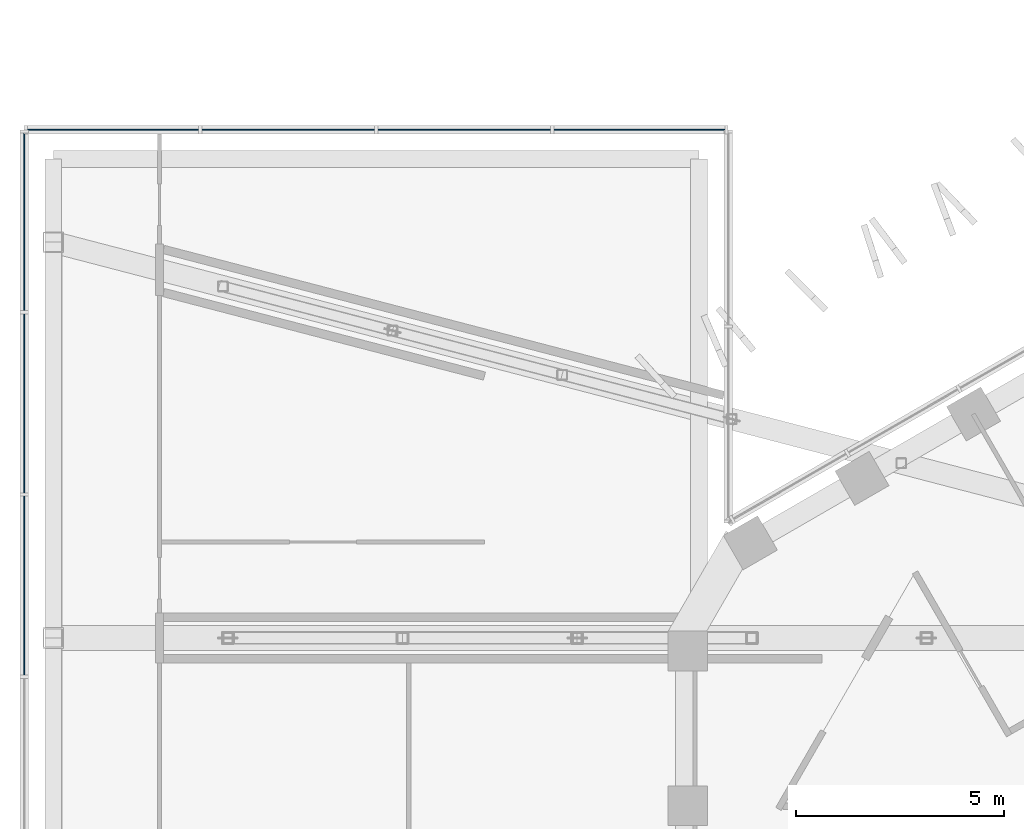
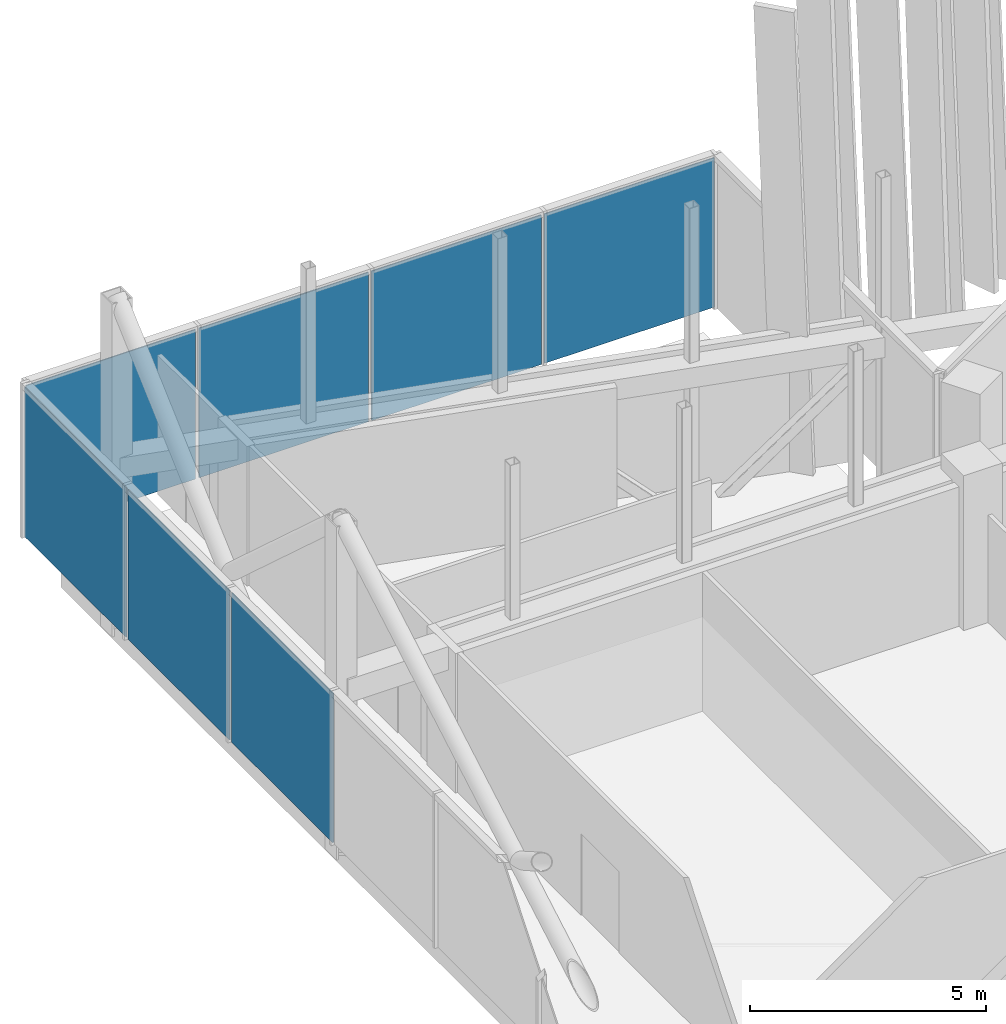
# One storey, part 15 of 28: 7 plates, 2 elements without a shape of their own.
"""IFC4 building model written with IfcOpenShell, lengths in metres."""

import ifcopenshell
import ifcopenshell.guid

model = None  # the IFC model being written
_history = None  # IfcOwnerHistory: only IFC2X3 demands one
_inside = {}  # id of a spatial element -> (the spatial element, [elements in it])
_under = {}  # id of a project, library or spatial element -> (it, [spatial elements below it])
_declared = {}  # id of a project -> (the project, [libraries it declares])
_typed = {}  # id of a type object -> (the type object, [elements of that type])
_made_of = {}  # id of a material, layer set ... -> (it, [elements and type objects made of it])


def new_model(schema):
    """Start an empty IFC model of exactly this schema.

    Asked for "IFC4X3", IfcOpenShell would pick the latest addendum, in which some entities
    have other attributes; the version numbers below select the first issue.
    IFC2X3 requires an IfcOwnerHistory on every rooted entity: one is made here for all.
    """
    global model, _history
    if schema == "IFC4X3":
        model = ifcopenshell.file(schema_version=(4, 3, 0, 0))
    else:
        model = ifcopenshell.file(schema=schema)
    _inside.clear()
    _under.clear()
    _declared.clear()
    _typed.clear()
    _made_of.clear()
    _history = None
    if model.schema == "IFC2X3":
        org = make("IfcOrganization", Name="unknown")
        user = make(
            "IfcPersonAndOrganization",
            ThePerson=make("IfcPerson", FamilyName="unknown"),
            TheOrganization=org,
        )
        app = make(
            "IfcApplication",
            ApplicationDeveloper=org,
            Version="unknown",
            ApplicationFullName="unknown",
            ApplicationIdentifier="unknown",
        )
        _history = make(
            "IfcOwnerHistory",
            OwningUser=user,
            OwningApplication=app,
            ChangeAction="ADDED",
            CreationDate=0,
        )
    return model


def make(cls, **values):
    """One entity of the class cls with the attributes given. An attribute that is None is left unset."""
    return model.create_entity(
        cls, **{name: value for name, value in values.items() if value is not None}
    )


def rooted(cls, **values):
    """An entity with a GlobalId (a new one), such as an element, a storey or a relation."""
    return make(cls, GlobalId=ifcopenshell.guid.new(), OwnerHistory=_history, **values)


def si_unit(unit_type, name, prefix=None):
    """IfcSIUnit, for example si_unit("LENGTHUNIT", "METRE", prefix="MILLI")."""
    return make("IfcSIUnit", UnitType=unit_type, Prefix=prefix, Name=name)


def assignment(units):
    """IfcUnitAssignment: the units of a project."""
    return None if units is None else make("IfcUnitAssignment", Units=units)


def point(xyz):
    """IfcCartesianPoint."""
    return None if xyz is None else make("IfcCartesianPoint", Coordinates=xyz)


def direction(xyz):
    """IfcDirection."""
    return None if xyz is None else make("IfcDirection", DirectionRatios=xyz)


def frame(location, z_axis=None, x_axis=None):
    """IfcAxis2Placement3D, a coordinate frame: its origin and axes. An axis left out is left unset."""
    return make(
        "IfcAxis2Placement3D",
        Location=point(location),
        Axis=direction(z_axis),
        RefDirection=direction(x_axis),
    )


def frame_2d(location, x_axis=None):
    """IfcAxis2Placement2D, a coordinate frame in the plane: its origin and x axis."""
    return make(
        "IfcAxis2Placement2D", Location=point(location), RefDirection=direction(x_axis)
    )


def origin():
    """The frame at (0, 0, 0) with its axes left unset."""
    return frame((0.0, 0.0, 0.0))


def origin_2d():
    """The frame at (0, 0) in the plane with its x axis left unset."""
    return frame_2d((0.0, 0.0))


def place(relative_to, where):
    """IfcLocalPlacement: puts the frame where relative to a parent placement (None: the world)."""
    return make(
        "IfcLocalPlacement", PlacementRelTo=relative_to, RelativePlacement=where
    )


def context(
    kind, dimensions, precision=None, world=None, true_north=None, identifier=None
):
    """IfcGeometricRepresentationContext, for example the 3D "Model" context."""
    return make(
        "IfcGeometricRepresentationContext",
        ContextIdentifier=identifier,
        ContextType=kind,
        CoordinateSpaceDimension=dimensions,
        Precision=precision,
        WorldCoordinateSystem=world,
        TrueNorth=true_north,
    )


def subcontext(parent, identifier, kind, view, scale=None):
    """IfcGeometricRepresentationSubContext, for example "Body" below "Model"."""
    return make(
        "IfcGeometricRepresentationSubContext",
        ContextIdentifier=identifier,
        ContextType=kind,
        ParentContext=parent,
        TargetScale=scale,
        TargetView=view,
    )


def project(units=None, contexts=None):
    """IfcProject with its units and contexts."""
    return rooted(
        "IfcProject",
        Name="project",
        RepresentationContexts=contexts,
        UnitsInContext=assignment(units),
    )


def spatial(cls, under=None, at=None, **own):
    """A site, building, storey or space (cls), placed at a placement, below another one or the project."""
    s = rooted(cls, ObjectPlacement=at, **own)
    if under is not None:
        _under.setdefault(under.id(), (under, []))[1].append(s)
    return s


def profile(cls, at=None, kind="AREA", **sizes):
    """A parametric profile (cls). Its sizes go by their IFC names, for example OverallWidth=200.0."""
    return make(cls, ProfileType=kind, Position=at, **sizes)


def rectangle(**sizes):
    """IfcRectangleProfileDef."""
    return profile("IfcRectangleProfileDef", **sizes)


def extrude(swept, where, along, depth):
    """IfcExtrudedAreaSolid: the profile swept, set in the frame where, extruded along a direction by depth."""
    return make(
        "IfcExtrudedAreaSolid",
        SweptArea=swept,
        Position=where,
        ExtrudedDirection=direction(along),
        Depth=depth,
    )


def shape(context_of_items, identifier, shape_type, items):
    """IfcShapeRepresentation: the items that make up one representation, for example the "Body"."""
    return make(
        "IfcShapeRepresentation",
        ContextOfItems=context_of_items,
        RepresentationIdentifier=identifier,
        RepresentationType=shape_type,
        Items=items,
    )


def material(Name=None, Category=None):
    """IfcMaterial."""
    return make("IfcMaterial", Name=Name, Category=Category)


def layer(
    of_material, thickness, ventilated=None, Name=None, Category=None, Priority=None
):
    """IfcMaterialLayer: one layer of a wall or slab, of a material (None: an air gap)."""
    return make(
        "IfcMaterialLayer",
        Material=of_material,
        LayerThickness=thickness,
        IsVentilated=ventilated,
        Name=Name,
        Category=Category,
        Priority=Priority,
    )


def layer_set(layers, Name=None):
    """IfcMaterialLayerSet."""
    return make("IfcMaterialLayerSet", MaterialLayers=layers, LayerSetName=Name)


def made_of(thing, what):
    """Note that an element or type object is made of a material, layer set ...; save() writes the relation."""
    if what is not None:
        _made_of.setdefault(what.id(), (what, []))[1].append(thing)
    return thing


def type_object(cls, material=None, **own):
    """A type object (cls), such as IfcWallType, which elements share."""
    return made_of(rooted(cls, **own), material)


def element(
    cls,
    number,
    at=None,
    inside=None,
    cuts=None,
    type_object=None,
    material=None,
    context=None,
    identifier="Body",
    shape_type=None,
    held_by="IfcProductDefinitionShape",
    body=None,
    shapes=None,
    **own,
):
    """One element of the class cls, such as IfcWall. Its Tag is "e" and its number.

    at: its placement. inside: the storey or other place that contains it. cuts: it is an
    opening in that element (IfcRelVoidsElement). A single representation is given by context,
    identifier, shape_type and body (its items); several are given by shapes. held_by: the class
    of the entity that holds the representations. save() writes the other relations.
    """
    e = rooted(cls, Tag="e%d" % number, ObjectPlacement=at, **own)
    if body is not None:
        shapes = [shape(context, identifier, shape_type, body)]
    if shapes is not None:
        e.Representation = make(held_by, Representations=shapes)
    if inside is not None:
        _inside.setdefault(inside.id(), (inside, []))[1].append(e)
    if cuts is not None:
        rooted(
            "IfcRelVoidsElement", RelatingBuildingElement=cuts, RelatedOpeningElement=e
        )
    if type_object is not None:
        _typed.setdefault(type_object.id(), (type_object, []))[1].append(e)
    return made_of(e, material)


def aggregate(whole, parts):
    """IfcRelAggregates: a whole, such as a stair, and the parts it consists of."""
    return rooted("IfcRelAggregates", RelatingObject=whole, RelatedObjects=parts)


def save(model, path):
    """Write the relations noted so far, then the file.

    IfcRelAggregates (storeys below a building ...), IfcRelContainedInSpatialStructure (elements
    in a storey), IfcRelDefinesByType, IfcRelAssociatesMaterial and IfcRelDeclares: one each for
    every whole, place, type object, material and project.
    """
    for whole, parts in _under.values():
        aggregate(whole, parts)
    for where, things in _inside.values():
        rooted(
            "IfcRelContainedInSpatialStructure",
            RelatedElements=things,
            RelatingStructure=where,
        )
    for kind, things in _typed.values():
        rooted("IfcRelDefinesByType", RelatedObjects=things, RelatingType=kind)
    for what, things in _made_of.values():
        rooted("IfcRelAssociatesMaterial", RelatedObjects=things, RelatingMaterial=what)
    for by, libraries in _declared.values():
        rooted("IfcRelDeclares", RelatingContext=by, RelatedDefinitions=libraries)
    model.write(path)


model = new_model("IFC4")

# Units and contexts
model_context = context("Model", 3, precision=1e-05, world=origin(), true_north=direction((0.0, 1.0)))
body_context = subcontext(model_context, "Body", "Model", "MODEL_VIEW")
ifc_project = project(units=[si_unit("LENGTHUNIT", "METRE"), si_unit("AREAUNIT", "SQUARE_METRE"), si_unit("VOLUMEUNIT", "CUBIC_METRE"), si_unit("PLANEANGLEUNIT", "RADIAN"), si_unit("MASSUNIT", "GRAM", prefix="KILO")], contexts=[model_context])

# Site, building, storey
site_placement = place(None, origin())
site = spatial("IfcSite", under=ifc_project, at=site_placement, CompositionType="ELEMENT")
building_placement = place(site_placement, origin())
building = spatial("IfcBuilding", under=site, at=building_placement, Name="Ayvan Gate Tower", CompositionType="ELEMENT")
storey_placement = place(building_placement, frame((0.0, 0.0, 202.10009765625)))
storey = spatial("IfcBuildingStorey", under=building, at=storey_placement, Name="L54", CompositionType="ELEMENT", Elevation=202.10009765625)

# Curtain wall, plates
ifc_material_1 = material(Name="Bronze anodised aluminium", Category="aluminium")
ifc_layer_1 = layer(ifc_material_1, 0.199951171875)
ifc_layer_set_1 = layer_set([ifc_layer_1], Name="Bronze anodised aluminium")
curtain_wall_type = type_object("IfcCurtainWallType", Name="Stick curtain wall CW-4", PredefinedType="NOTDEFINED", material=ifc_layer_set_1)
curtain_wall_1_placement = place(storey_placement, origin())
curtain_wall_1 = element("IfcCurtainWall", 1, at=curtain_wall_1_placement, inside=storey, type_object=curtain_wall_type, Name="Stick curtain wall CW-4 L54", PredefinedType="NOTDEFINED")
ifc_material_2 = material(Name="Clear low-iron laminated glass", Category="glass")
ifc_layer_2 = layer(ifc_material_2, 0.028076171875)
ifc_layer_set_2 = layer_set([ifc_layer_2], Name="Clear low-iron laminated glass")
plate_type_1 = type_object("IfcPlateType", Name="Stick curtain wall CW-4 glass panel", PredefinedType="CURTAIN_PANEL", material=ifc_layer_set_2)
plate_1_placement = place(storey_placement, frame((-18.436767578125, 21.800048828125, 0.0), z_axis=(0.0, 0.0, 1.0), x_axis=(-1.0, 0.0, 0.0)))
plate_1 = element("IfcPlate", 2, at=plate_1_placement, type_object=plate_type_1, Name="CW-4 glass panel 1", PredefinedType="CURTAIN_PANEL", context=body_context, shape_type="SweptSolid", body=[
    extrude(rectangle(XDim=4.14501953125, YDim=0.028076171875, at=origin_2d()), origin(), (0.0, 0.0, 1.0), 3.860107421875),
])
plate_2_placement = place(storey_placement, frame((-26.88671875, 21.800048828125, 0.0), z_axis=(0.0, 0.0, 1.0), x_axis=(-1.0, 0.0, 0.0)))
plate_2 = element("IfcPlate", 3, at=plate_2_placement, type_object=plate_type_1, Name="CW-4 glass panel 3", PredefinedType="CURTAIN_PANEL", context=body_context, shape_type="SweptSolid", body=[
    extrude(rectangle(XDim=4.14501953125, YDim=0.028076171875, at=origin_2d()), origin(), (0.0, 0.0, 1.0), 3.860107421875),
])
ifc_material_3 = material(Name="Pale anodised aluminium composite panel", Category="aluminium")
ifc_layer_3 = layer(ifc_material_3, 0.028076171875)
ifc_layer_set_3 = layer_set([ifc_layer_3], Name="Pale anodised aluminium composite panel")
plate_type_2 = type_object("IfcPlateType", Name="Stick curtain wall CW-4 solid panel", PredefinedType="CURTAIN_PANEL", material=ifc_layer_set_3)
plate_3_placement = place(storey_placement, frame((-22.661865234375, 21.800048828125, 0.0), z_axis=(0.0, 0.0, 1.0), x_axis=(-1.0, 0.0, 0.0)))
plate_3 = element("IfcPlate", 4, at=plate_3_placement, type_object=plate_type_2, Name="CW-4 solid panel 2", PredefinedType="CURTAIN_PANEL", context=body_context, shape_type="SweptSolid", body=[
    extrude(rectangle(XDim=4.14501953125, YDim=0.028076171875, at=origin_2d()), origin(), (0.0, 0.0, 1.0), 3.860107421875),
])
plate_4_placement = place(storey_placement, frame((-31.11181640625, 21.800048828125, 0.0), z_axis=(0.0, 0.0, 1.0), x_axis=(-1.0, 0.0, 0.0)))
plate_4 = element("IfcPlate", 5, at=plate_4_placement, type_object=plate_type_2, Name="CW-4 solid panel 4", PredefinedType="CURTAIN_PANEL", context=body_context, shape_type="SweptSolid", body=[
    extrude(rectangle(XDim=4.14501953125, YDim=0.028076171875, at=origin_2d()), origin(), (0.0, 0.0, 1.0), 3.860107421875),
])
aggregate(curtain_wall_1, [plate_1, plate_3, plate_2, plate_4])

curtain_wall_2_placement = place(storey_placement, origin())
curtain_wall_2 = element("IfcCurtainWall", 6, at=curtain_wall_2_placement, inside=storey, type_object=curtain_wall_type, Name="Stick curtain wall CW-4 L54", PredefinedType="NOTDEFINED")
plate_5_placement = place(storey_placement, frame((-33.224365234375, 19.611083984375, 0.0), z_axis=(0.0, 0.0, 1.0), x_axis=(0.0, -1.0, 0.0)))
plate_5 = element("IfcPlate", 7, at=plate_5_placement, type_object=plate_type_2, Name="CW-4 solid panel 1", PredefinedType="CURTAIN_PANEL", context=body_context, shape_type="SweptSolid", body=[
    extrude(rectangle(XDim=4.2978515625, YDim=0.028076171875, at=origin_2d()), origin(), (0.0, 0.0, 1.0), 3.860107421875),
])
plate_6_placement = place(storey_placement, frame((-33.224365234375, 15.2333984375, 0.0), z_axis=(0.0, 0.0, 1.0), x_axis=(0.0, -1.0, 0.0)))
plate_6 = element("IfcPlate", 8, at=plate_6_placement, type_object=plate_type_2, Name="CW-4 solid panel 2", PredefinedType="CURTAIN_PANEL", context=body_context, shape_type="SweptSolid", body=[
    extrude(rectangle(XDim=4.2978515625, YDim=0.028076171875, at=origin_2d()), origin(), (0.0, 0.0, 1.0), 3.860107421875),
])
plate_7_placement = place(storey_placement, frame((-33.224365234375, 10.85546875, 0.0), z_axis=(0.0, 0.0, 1.0), x_axis=(0.0, -1.0, 0.0)))
plate_7 = element("IfcPlate", 9, at=plate_7_placement, type_object=plate_type_2, Name="CW-4 solid panel 3", PredefinedType="CURTAIN_PANEL", context=body_context, shape_type="SweptSolid", body=[
    extrude(rectangle(XDim=4.2978515625, YDim=0.028076171875, at=origin_2d()), origin(), (0.0, 0.0, 1.0), 3.860107421875),
])
aggregate(curtain_wall_2, [plate_5, plate_6, plate_7])

save(model, "model.ifc")
